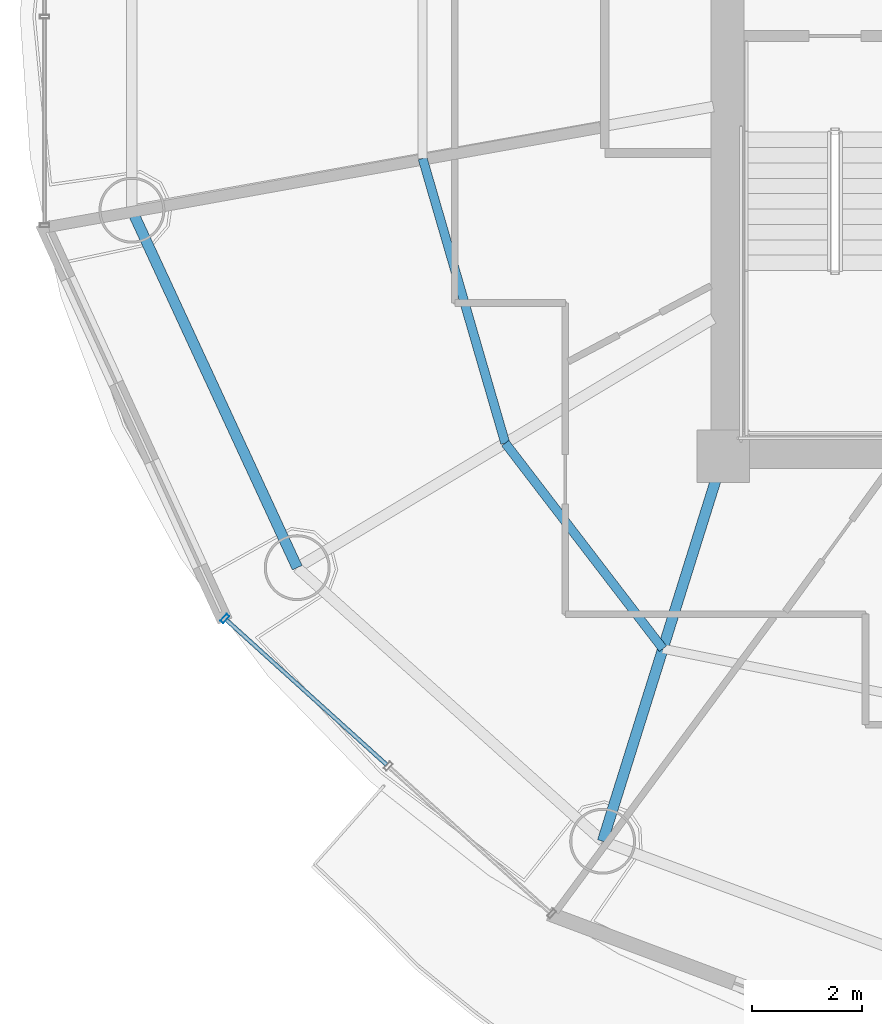
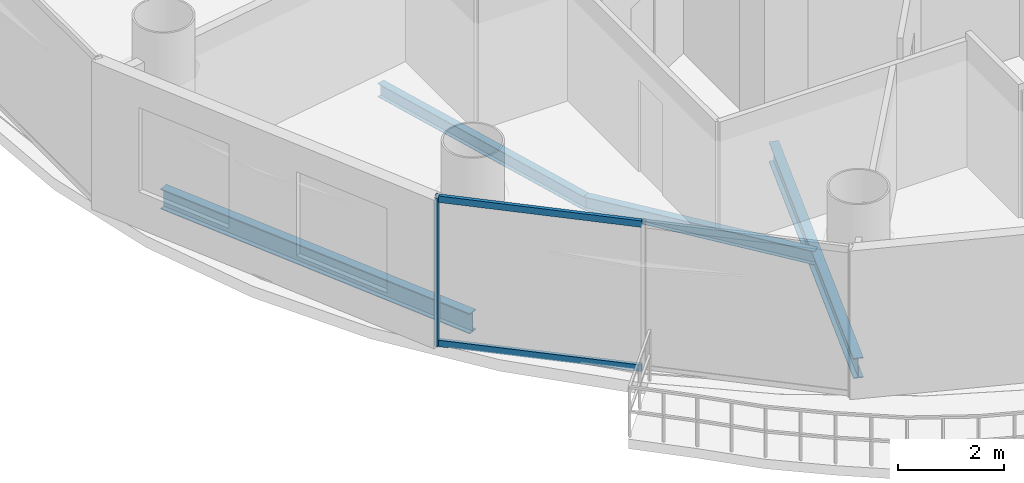
# One storey, part 3 of 27: 4 beams, 3 members, 1 element without a shape of its own.
"""IFC4 building model written with IfcOpenShell, lengths in metres."""

import ifcopenshell
import ifcopenshell.guid

model = None  # the IFC model being written
_history = None  # IfcOwnerHistory: only IFC2X3 demands one
_inside = {}  # id of a spatial element -> (the spatial element, [elements in it])
_under = {}  # id of a project, library or spatial element -> (it, [spatial elements below it])
_declared = {}  # id of a project -> (the project, [libraries it declares])
_typed = {}  # id of a type object -> (the type object, [elements of that type])
_made_of = {}  # id of a material, layer set ... -> (it, [elements and type objects made of it])


def new_model(schema):
    """Start an empty IFC model of exactly this schema.

    Asked for "IFC4X3", IfcOpenShell would pick the latest addendum, in which some entities
    have other attributes; the version numbers below select the first issue.
    IFC2X3 requires an IfcOwnerHistory on every rooted entity: one is made here for all.
    """
    global model, _history
    if schema == "IFC4X3":
        model = ifcopenshell.file(schema_version=(4, 3, 0, 0))
    else:
        model = ifcopenshell.file(schema=schema)
    _inside.clear()
    _under.clear()
    _declared.clear()
    _typed.clear()
    _made_of.clear()
    _history = None
    if model.schema == "IFC2X3":
        org = make("IfcOrganization", Name="unknown")
        user = make(
            "IfcPersonAndOrganization",
            ThePerson=make("IfcPerson", FamilyName="unknown"),
            TheOrganization=org,
        )
        app = make(
            "IfcApplication",
            ApplicationDeveloper=org,
            Version="unknown",
            ApplicationFullName="unknown",
            ApplicationIdentifier="unknown",
        )
        _history = make(
            "IfcOwnerHistory",
            OwningUser=user,
            OwningApplication=app,
            ChangeAction="ADDED",
            CreationDate=0,
        )
    return model


def make(cls, **values):
    """One entity of the class cls with the attributes given. An attribute that is None is left unset."""
    return model.create_entity(
        cls, **{name: value for name, value in values.items() if value is not None}
    )


def rooted(cls, **values):
    """An entity with a GlobalId (a new one), such as an element, a storey or a relation."""
    return make(cls, GlobalId=ifcopenshell.guid.new(), OwnerHistory=_history, **values)


def si_unit(unit_type, name, prefix=None):
    """IfcSIUnit, for example si_unit("LENGTHUNIT", "METRE", prefix="MILLI")."""
    return make("IfcSIUnit", UnitType=unit_type, Prefix=prefix, Name=name)


def assignment(units):
    """IfcUnitAssignment: the units of a project."""
    return None if units is None else make("IfcUnitAssignment", Units=units)


def point(xyz):
    """IfcCartesianPoint."""
    return None if xyz is None else make("IfcCartesianPoint", Coordinates=xyz)


def direction(xyz):
    """IfcDirection."""
    return None if xyz is None else make("IfcDirection", DirectionRatios=xyz)


def frame(location, z_axis=None, x_axis=None):
    """IfcAxis2Placement3D, a coordinate frame: its origin and axes. An axis left out is left unset."""
    return make(
        "IfcAxis2Placement3D",
        Location=point(location),
        Axis=direction(z_axis),
        RefDirection=direction(x_axis),
    )


def frame_2d(location, x_axis=None):
    """IfcAxis2Placement2D, a coordinate frame in the plane: its origin and x axis."""
    return make(
        "IfcAxis2Placement2D", Location=point(location), RefDirection=direction(x_axis)
    )


def origin():
    """The frame at (0, 0, 0) with its axes left unset."""
    return frame((0.0, 0.0, 0.0))


def origin_2d():
    """The frame at (0, 0) in the plane with its x axis left unset."""
    return frame_2d((0.0, 0.0))


def place(relative_to, where):
    """IfcLocalPlacement: puts the frame where relative to a parent placement (None: the world)."""
    return make(
        "IfcLocalPlacement", PlacementRelTo=relative_to, RelativePlacement=where
    )


def context(
    kind, dimensions, precision=None, world=None, true_north=None, identifier=None
):
    """IfcGeometricRepresentationContext, for example the 3D "Model" context."""
    return make(
        "IfcGeometricRepresentationContext",
        ContextIdentifier=identifier,
        ContextType=kind,
        CoordinateSpaceDimension=dimensions,
        Precision=precision,
        WorldCoordinateSystem=world,
        TrueNorth=true_north,
    )


def subcontext(parent, identifier, kind, view, scale=None):
    """IfcGeometricRepresentationSubContext, for example "Body" below "Model"."""
    return make(
        "IfcGeometricRepresentationSubContext",
        ContextIdentifier=identifier,
        ContextType=kind,
        ParentContext=parent,
        TargetScale=scale,
        TargetView=view,
    )


def project(units=None, contexts=None):
    """IfcProject with its units and contexts."""
    return rooted(
        "IfcProject",
        Name="project",
        RepresentationContexts=contexts,
        UnitsInContext=assignment(units),
    )


def spatial(cls, under=None, at=None, **own):
    """A site, building, storey or space (cls), placed at a placement, below another one or the project."""
    s = rooted(cls, ObjectPlacement=at, **own)
    if under is not None:
        _under.setdefault(under.id(), (under, []))[1].append(s)
    return s


def profile(cls, at=None, kind="AREA", **sizes):
    """A parametric profile (cls). Its sizes go by their IFC names, for example OverallWidth=200.0."""
    return make(cls, ProfileType=kind, Position=at, **sizes)


def hollow_rectangle(**sizes):
    """IfcRectangleHollowProfileDef."""
    return profile("IfcRectangleHollowProfileDef", **sizes)


def i_section(**sizes):
    """IfcIShapeProfileDef."""
    return profile("IfcIShapeProfileDef", **sizes)


def extrude(swept, where, along, depth):
    """IfcExtrudedAreaSolid: the profile swept, set in the frame where, extruded along a direction by depth."""
    return make(
        "IfcExtrudedAreaSolid",
        SweptArea=swept,
        Position=where,
        ExtrudedDirection=direction(along),
        Depth=depth,
    )


def shape(context_of_items, identifier, shape_type, items):
    """IfcShapeRepresentation: the items that make up one representation, for example the "Body"."""
    return make(
        "IfcShapeRepresentation",
        ContextOfItems=context_of_items,
        RepresentationIdentifier=identifier,
        RepresentationType=shape_type,
        Items=items,
    )


def source(mapping_origin, context_of_items, identifier, shape_type, items):
    """IfcRepresentationMap: a shape defined once, which mapped items show again and again."""
    return make(
        "IfcRepresentationMap",
        MappingOrigin=mapping_origin,
        MappedRepresentation=shape(context_of_items, identifier, shape_type, items),
    )


def transform(
    local_origin,
    x_axis=None,
    y_axis=None,
    z_axis=None,
    scale=None,
    scale2=None,
    scale3=None,
    uniform=True,
):
    """IfcCartesianTransformationOperator3D, or its non-uniform kind. x_axis, y_axis, z_axis: its Axis1, 2, 3."""
    if uniform:
        return make(
            "IfcCartesianTransformationOperator3D",
            Axis1=direction(x_axis),
            Axis2=direction(y_axis),
            LocalOrigin=point(local_origin),
            Scale=scale,
            Axis3=direction(z_axis),
        )
    return make(
        "IfcCartesianTransformationOperator3DnonUniform",
        Axis1=direction(x_axis),
        Axis2=direction(y_axis),
        LocalOrigin=point(local_origin),
        Scale=scale,
        Axis3=direction(z_axis),
        Scale2=scale2,
        Scale3=scale3,
    )


def mapped(mapping_source, mapping_target):
    """IfcMappedItem: shows the shape of a source again, moved by a transform."""
    return make(
        "IfcMappedItem", MappingSource=mapping_source, MappingTarget=mapping_target
    )


def material(Name=None, Category=None):
    """IfcMaterial."""
    return make("IfcMaterial", Name=Name, Category=Category)


def material_profile(
    of_material, cross_section, Name=None, Category=None, Priority=None
):
    """IfcMaterialProfile: a cross section and its material."""
    return make(
        "IfcMaterialProfile",
        Name=Name,
        Material=of_material,
        Profile=cross_section,
        Priority=Priority,
        Category=Category,
    )


def profile_set(profiles, Name=None, composite=None):
    """IfcMaterialProfileSet."""
    return make(
        "IfcMaterialProfileSet",
        Name=Name,
        MaterialProfiles=profiles,
        CompositeProfile=composite,
    )


def made_of(thing, what):
    """Note that an element or type object is made of a material, layer set ...; save() writes the relation."""
    if what is not None:
        _made_of.setdefault(what.id(), (what, []))[1].append(thing)
    return thing


def type_object(cls, material=None, **own):
    """A type object (cls), such as IfcWallType, which elements share."""
    return made_of(rooted(cls, **own), material)


def element(
    cls,
    number,
    at=None,
    inside=None,
    cuts=None,
    type_object=None,
    material=None,
    context=None,
    identifier="Body",
    shape_type=None,
    held_by="IfcProductDefinitionShape",
    body=None,
    shapes=None,
    **own,
):
    """One element of the class cls, such as IfcWall. Its Tag is "e" and its number.

    at: its placement. inside: the storey or other place that contains it. cuts: it is an
    opening in that element (IfcRelVoidsElement). A single representation is given by context,
    identifier, shape_type and body (its items); several are given by shapes. held_by: the class
    of the entity that holds the representations. save() writes the other relations.
    """
    e = rooted(cls, Tag="e%d" % number, ObjectPlacement=at, **own)
    if body is not None:
        shapes = [shape(context, identifier, shape_type, body)]
    if shapes is not None:
        e.Representation = make(held_by, Representations=shapes)
    if inside is not None:
        _inside.setdefault(inside.id(), (inside, []))[1].append(e)
    if cuts is not None:
        rooted(
            "IfcRelVoidsElement", RelatingBuildingElement=cuts, RelatedOpeningElement=e
        )
    if type_object is not None:
        _typed.setdefault(type_object.id(), (type_object, []))[1].append(e)
    return made_of(e, material)


def aggregate(whole, parts):
    """IfcRelAggregates: a whole, such as a stair, and the parts it consists of."""
    return rooted("IfcRelAggregates", RelatingObject=whole, RelatedObjects=parts)


def save(model, path):
    """Write the relations noted so far, then the file.

    IfcRelAggregates (storeys below a building ...), IfcRelContainedInSpatialStructure (elements
    in a storey), IfcRelDefinesByType, IfcRelAssociatesMaterial and IfcRelDeclares: one each for
    every whole, place, type object, material and project.
    """
    for whole, parts in _under.values():
        aggregate(whole, parts)
    for where, things in _inside.values():
        rooted(
            "IfcRelContainedInSpatialStructure",
            RelatedElements=things,
            RelatingStructure=where,
        )
    for kind, things in _typed.values():
        rooted("IfcRelDefinesByType", RelatedObjects=things, RelatingType=kind)
    for what, things in _made_of.values():
        rooted("IfcRelAssociatesMaterial", RelatedObjects=things, RelatingMaterial=what)
    for by, libraries in _declared.values():
        rooted("IfcRelDeclares", RelatingContext=by, RelatedDefinitions=libraries)
    model.write(path)


model = new_model("IFC4")

# Units and contexts
model_context = context("Model", 3, precision=1e-05, world=origin(), true_north=direction((-0.2419218956, 0.970295726276)))
body_context = subcontext(model_context, "Body", "Model", "MODEL_VIEW")
ifc_project = project(units=[si_unit("LENGTHUNIT", "METRE"), si_unit("AREAUNIT", "SQUARE_METRE"), si_unit("VOLUMEUNIT", "CUBIC_METRE"), si_unit("PLANEANGLEUNIT", "RADIAN"), si_unit("MASSUNIT", "GRAM", prefix="KILO")], contexts=[model_context])

# Site, building, storey
site_placement = place(None, origin())
site = spatial("IfcSite", under=ifc_project, at=site_placement, CompositionType="ELEMENT")
building_placement = place(site_placement, origin())
building = spatial("IfcBuilding", under=site, at=building_placement, Name="Cobrevalo Terracotta Tower", CompositionType="ELEMENT")
storey_placement = place(building_placement, frame((0.0, 0.0, 191.199951171875)))
storey = spatial("IfcBuildingStorey", under=building, at=storey_placement, Name="L50", CompositionType="ELEMENT", Elevation=191.199951171875)

# Beams
ifc_material_1 = material(Name="Steel S355", Category="steel")
ifc_material_profile_1 = material_profile(ifc_material_1, i_section(OverallWidth=0.194091796875, OverallDepth=0.468994140625, WebThickness=0.011474609375, FlangeThickness=0.0205078125, at=origin_2d()), Name="W 460x106")
ifc_profile_set_1 = profile_set([ifc_material_profile_1], Name="Steel S355")
beam_type_1 = type_object("IfcBeamType", Name="Structural Beam W 460x106 (Steel S355)", PredefinedType="BEAM", material=ifc_profile_set_1)
beam_1_placement = place(storey_placement, frame((26.80517578125, 11.7919921875, -0.49951171875), z_axis=(0.298871212691, 0.954293454984, 0.0), x_axis=(-0.954293454984, 0.298871212691, 0.0)))
element("IfcBeam", 1, at=beam_1_placement, inside=storey, type_object=beam_type_1, Name="L50 radial floor girder 11", PredefinedType="BEAM", context=body_context, shape_type="SweptSolid", body=[
    extrude(i_section(OverallWidth=0.194091796875, OverallDepth=0.468994140625, WebThickness=0.011474609375, FlangeThickness=0.0205078125, at=origin_2d()), origin(), (0.0, 0.0, 1.0), 7.34375),
])
ifc_material_profile_2 = material_profile(ifc_material_1, i_section(OverallWidth=0.1650390625, OverallDepth=0.31005859375, WebThickness=0.005859375, FlangeThickness=0.009765625, at=origin_2d()), Name="W 310x38.7")
ifc_profile_set_2 = profile_set([ifc_material_profile_2], Name="Steel S355")
beam_type_2 = type_object("IfcBeamType", Name="Structural Joist W 310x38.7 (Steel S355)", PredefinedType="JOIST", material=ifc_profile_set_2)
beam_2_placement = place(storey_placement, frame((23.528564453125, 24.221435546875, -0.419921875), z_axis=(0.278757705995, -0.960361463902, 0.0), x_axis=(0.960361463902, 0.278757705995, 0.0)))
element("IfcBeam", 2, at=beam_2_placement, inside=storey, type_object=beam_type_2, Name="L50 circumferential secondary floor joist 09", PredefinedType="JOIST", context=body_context, shape_type="SweptSolid", body=[
    extrude(i_section(OverallWidth=0.1650390625, OverallDepth=0.31005859375, WebThickness=0.005859375, FlangeThickness=0.009765625, at=origin_2d()), origin(), (0.0, 0.0, 1.0), 5.396728515625),
])
beam_3_placement = place(storey_placement, frame((25.032958984375, 19.03857421875, -0.419921875), z_axis=(0.608464146296, -0.793581364872, 0.0), x_axis=(0.793581364872, 0.608464146296, 0.0)))
element("IfcBeam", 3, at=beam_3_placement, inside=storey, type_object=beam_type_2, Name="L50 circumferential secondary floor joist 10", PredefinedType="JOIST", context=body_context, shape_type="SweptSolid", body=[
    extrude(i_section(OverallWidth=0.1650390625, OverallDepth=0.31005859375, WebThickness=0.005859375, FlangeThickness=0.009765625, at=origin_2d()), origin(), (0.0, 0.0, 1.0), 4.716064453125),
])
ifc_material_profile_3 = material_profile(ifc_material_1, i_section(OverallWidth=0.194091796875, OverallDepth=0.468994140625, WebThickness=0.011474609375, FlangeThickness=0.0205078125, at=origin_2d()), Name="W 460x106")
ifc_profile_set_3 = profile_set([ifc_material_profile_3], Name="Steel S355")
beam_type_3 = type_object("IfcBeamType", Name="Structural Spandrel W 460x106 (Steel S355)", PredefinedType="SPANDREL", material=ifc_profile_set_3)
beam_4_placement = place(storey_placement, frame((18.237060546875, 23.278564453125, -0.49951171875), z_axis=(0.419718939129, -0.90765412583, 0.0), x_axis=(0.90765412583, 0.419718939129, 0.0)))
element("IfcBeam", 4, at=beam_4_placement, inside=storey, type_object=beam_type_3, Name="L50 perimeter ring spandrel 09", PredefinedType="SPANDREL", context=body_context, shape_type="SweptSolid", body=[
    extrude(i_section(OverallWidth=0.194091796875, OverallDepth=0.468994140625, WebThickness=0.011474609375, FlangeThickness=0.0205078125, at=origin_2d()), origin(), (0.0, 0.0, 1.0), 7.168701171875),
])

# Curtain wall, members
ifc_material_2 = material(Name="Anodized aluminium", Category="aluminium")
curtain_wall_type = type_object("IfcCurtainWallType", Name="Mid-tower high-wind unitised curtain wall CW-U2", PredefinedType="NOTDEFINED", material=ifc_material_2)
curtain_wall_placement = place(storey_placement, origin())
curtain_wall = element("IfcCurtainWall", 5, at=curtain_wall_placement, inside=storey, type_object=curtain_wall_type, Name="L50 curtain wall CW-L50-S10", PredefinedType="NOTDEFINED")
ifc_material_profile_4 = material_profile(ifc_material_2, hollow_rectangle(XDim=0.074951171875, YDim=0.14990234375, WallThickness=0.00439453125, at=origin_2d()), Name="CWT 75x150")
ifc_profile_set_4 = profile_set([ifc_material_profile_4], Name="Anodized aluminium")
member_type_1 = type_object("IfcMemberType", Name="Tower unitised aluminium transom 75x150", PredefinedType="USERDEFINED", material=ifc_profile_set_4)
shared_shape_1 = source(origin(), body_context, "Body", "SweptSolid", [
    extrude(hollow_rectangle(XDim=0.074951171875, YDim=0.14990234375, WallThickness=0.00439453125, at=origin_2d()), origin(), (0.0, 0.0, 1.0), 3.927490234375),
])
member_1_placement = place(storey_placement, frame((19.958251953125, 15.818359375, 0.050048828125), z_axis=(0.741975952623, -0.670426495396, 0.0), x_axis=(0.670426495396, 0.741975952623, 0.0)))
member_1 = element("IfcMember", 6, at=member_1_placement, type_object=member_type_1, Name="CW-L50-S10 transom B01-T1", ObjectType="TRANSOM", PredefinedType="USERDEFINED", context=body_context, shape_type="MappedRepresentation", body=[
    mapped(shared_shape_1, transform((0.0, 0.0, 0.0), scale=1.0)),
])
member_2_placement = place(storey_placement, frame((19.958251953125, 15.818359375, 3.385009765625), z_axis=(0.741975952623, -0.670426495396, 0.0), x_axis=(0.670426495396, 0.741975952623, 0.0)))
member_2 = element("IfcMember", 7, at=member_2_placement, type_object=member_type_1, Name="CW-L50-S10 transom B01-T2", ObjectType="TRANSOM", PredefinedType="USERDEFINED", context=body_context, shape_type="MappedRepresentation", body=[
    mapped(shared_shape_1, transform((0.0, 0.0, 0.0), scale=1.0)),
])
ifc_material_profile_5 = material_profile(ifc_material_2, hollow_rectangle(XDim=0.070068359375, YDim=0.169921875, WallThickness=0.00439453125, at=origin_2d()), Name="CWM 70x170")
ifc_profile_set_5 = profile_set([ifc_material_profile_5], Name="Anodized aluminium")
member_type_2 = type_object("IfcMemberType", Name="Upper tower unitised mullion 70x170", PredefinedType="MULLION", material=ifc_profile_set_5)
shared_shape_2 = source(origin(), body_context, "Body", "SweptSolid", [
    extrude(hollow_rectangle(XDim=0.070068359375, YDim=0.169921875, WallThickness=0.00439453125, at=origin_2d()), origin(), (0.0, 0.0, 1.0), 3.43505859375),
])
member_3_placement = place(storey_placement, frame((19.928466796875, 15.84521484375, 0.0), z_axis=(0.0, 0.0, 1.0), x_axis=(0.741987542015, -0.670413668935, 0.0)))
member_3 = element("IfcMember", 8, at=member_3_placement, type_object=member_type_2, Name="CW-L50-S10 vertical mullion 01", PredefinedType="MULLION", context=body_context, shape_type="MappedRepresentation", body=[
    mapped(shared_shape_2, transform((0.0, 0.0, 0.0), scale=1.0)),
])
aggregate(curtain_wall, [member_3, member_1, member_2])

save(model, "model.ifc")
